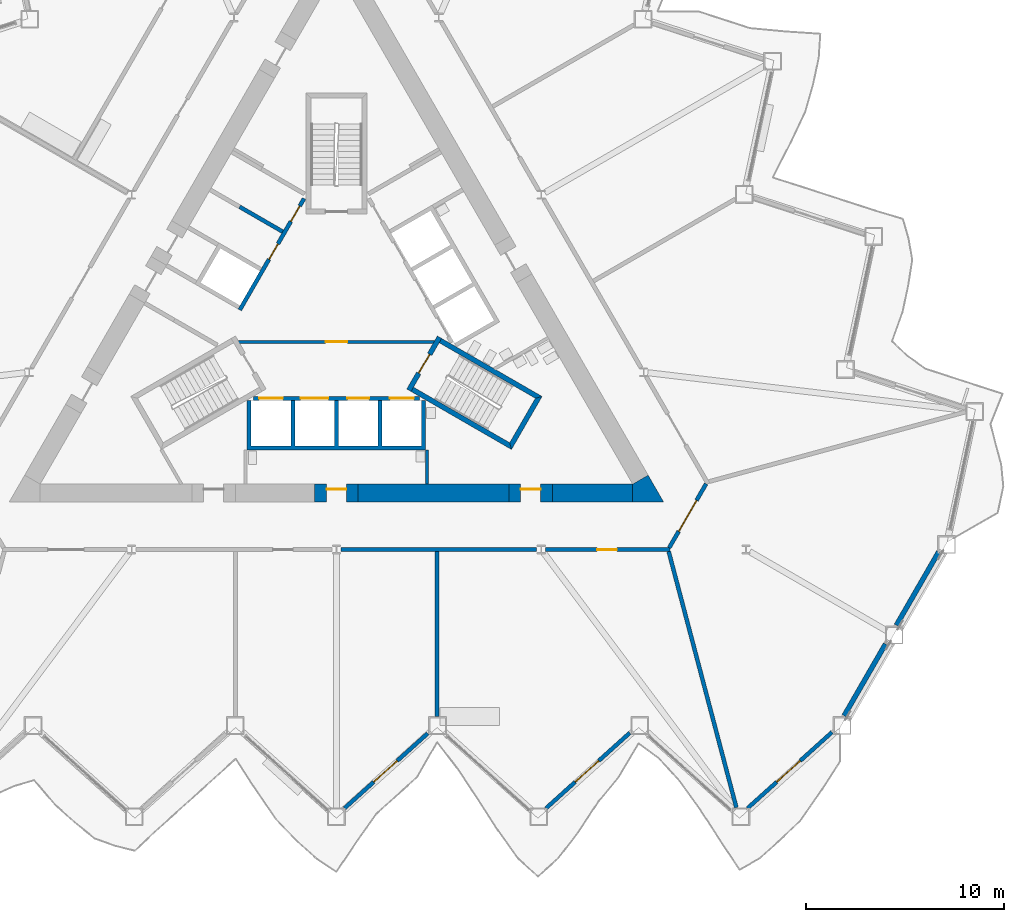
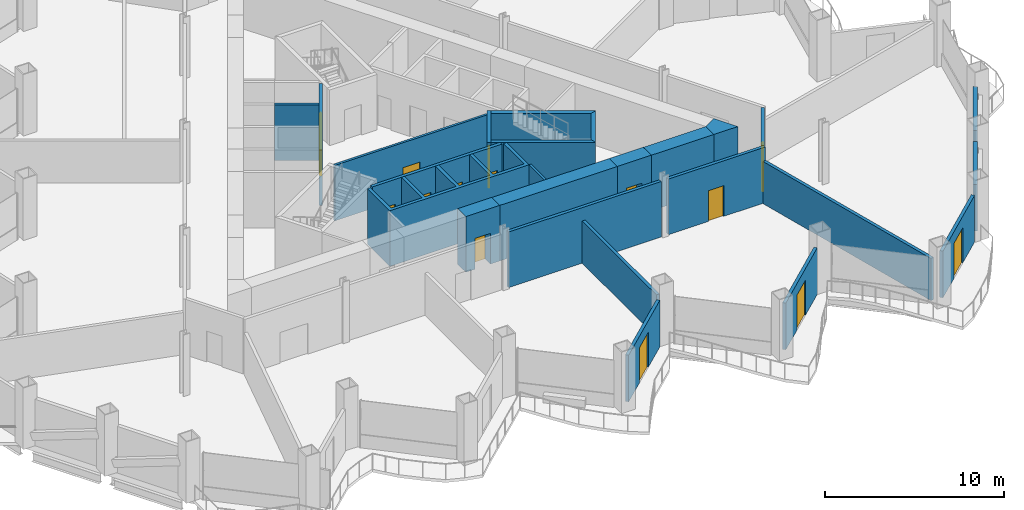
# One storey, part 11 of 21: 25 walls, 15 doors, 15 openings.
"""IFC4 building model written with IfcOpenShell, lengths in metres."""

from ifc_helpers import new_model, si_unit, direction, frame, frame_2d, origin, place, context, subcontext, project, spatial, polyline, rectangle, outline, extrude, material, layer, layer_set, type_object, element, fill, save


model = new_model("IFC4")

# Units and contexts
model_context = context("Model", 3, precision=1e-05, world=origin(), true_north=direction((0.0, 1.0)))
body_context = subcontext(model_context, "Body", "Model", "MODEL_VIEW")
ifc_project = project(units=[si_unit("LENGTHUNIT", "METRE"), si_unit("AREAUNIT", "SQUARE_METRE"), si_unit("VOLUMEUNIT", "CUBIC_METRE"), si_unit("PLANEANGLEUNIT", "RADIAN"), si_unit("MASSUNIT", "GRAM", prefix="KILO")], contexts=[model_context])

# Site, building, storey
site_placement = place(None, origin())
site = spatial("IfcSite", under=ifc_project, at=site_placement, CompositionType="ELEMENT")
building_placement = place(site_placement, origin())
building = spatial("IfcBuilding", under=site, at=building_placement, Name="Cormorant Prow Tower", CompositionType="ELEMENT")
storey_placement = place(building_placement, frame((0.0, 0.0, 145.800048828125)))
storey = spatial("IfcBuildingStorey", under=building, at=storey_placement, Name="L31", CompositionType="ELEMENT", Elevation=145.800048828125)

# Wall, opening, door
ifc_material_1 = material(Name="Gypsum board partition")
ifc_layer_1 = layer(ifc_material_1, 0.14990234375)
ifc_layer_set_1 = layer_set([ifc_layer_1], Name="Gypsum board partition")
wall_type_1 = type_object("IfcWallType", Name="Core partition 150", PredefinedType="PARTITIONING", material=ifc_layer_set_1)
wall_1_placement = place(storey_placement, frame((-4.941162109375, -1.449951171875, 0.0), z_axis=(0.0, 0.0, 1.0), x_axis=(1.0, 0.0, 0.0)))
wall_1 = element("IfcWall", 1, at=wall_1_placement, inside=storey, type_object=wall_type_1, Name="Firefighting lobby partition", PredefinedType="PARTITIONING", context=body_context, shape_type="SweptSolid", body=[
    extrude(rectangle(XDim=9.88232421875, YDim=0.14990234375, at=frame_2d((4.941162109375, 0.0))), origin(), (0.0, 0.0, 1.0), 3.800048828125),
])
opening_1_placement = place(wall_1_placement, frame((4.39111328125, 0.0, 0.0)))
opening_1 = element("IfcOpeningElement", 2, at=opening_1_placement, cuts=wall_1, Name="Opening L31-C11", PredefinedType="OPENING", context=body_context, shape_type="SweptSolid", body=[
    extrude(rectangle(XDim=1.10009765625, YDim=2.10009765625, at=frame_2d((0.550048828125, 1.050048828125))), frame((0.0, 0.0849609375, 0.0), z_axis=(0.0, -1.0, 0.0), x_axis=(1.0, 0.0, 0.0)), (0.0, 0.0, 1.0), 0.169921875),
])
ifc_material_2 = material(Name="Painted steel", Category="steel")
door_type_1 = type_object("IfcDoorType", Name="Firefighting lobby door 1100x2100", OperationType="NOTDEFINED", PredefinedType="DOOR", material=ifc_material_2)
door_1_placement = place(opening_1_placement, origin())
door_1 = element("IfcDoor", 3, at=door_1_placement, inside=storey, type_object=door_type_1, Name="Firefighting lobby door", OperationType="SINGLE_SWING_RIGHT", OverallHeight=2.10009765625, OverallWidth=1.10009765625, PredefinedType="DOOR", context=body_context, shape_type="SweptSolid", body=[
    extrude(rectangle(XDim=1.10009765625, YDim=2.10009765625, at=frame_2d((0.550048828125, 1.050048828125))), frame((0.0, 0.02490234375, 0.0), z_axis=(0.0, -1.0, 0.0), x_axis=(1.0, 0.0, 0.0)), (0.0, 0.0, 1.0), 0.050048828125),
])
fill(opening_1, door_1)

# Walls
wall_2_placement = place(storey_placement, frame((4.574951171875, -6.906005859375, 0.0), z_axis=(0.0, 0.0, 1.0), x_axis=(0.0, -1.0, 0.0)))
element("IfcWall", 4, at=wall_2_placement, inside=storey, type_object=wall_type_1, Name="Service room partition", PredefinedType="PARTITIONING", context=body_context, shape_type="SweptSolid", body=[
    extrude(rectangle(XDim=1.72021484375, YDim=0.14990234375, at=frame_2d((0.860107421875, 0.0))), origin(), (0.0, 0.0, 1.0), 3.800048828125),
])
ifc_material_3 = material(Name="Concrete 8000 psi", Category="concrete")
ifc_layer_2 = layer(ifc_material_3, 0.89990234375)
ifc_layer_set_2 = layer_set([ifc_layer_2], Name="Concrete 8000 psi")
wall_type_2 = type_object("IfcWallType", Name="Core shear wall 900", PredefinedType="SHEAR", material=ifc_layer_set_2)
wall_3_placement = place(storey_placement, frame((1.10009765625, -9.076416015625, 0.0), z_axis=(0.0, 0.0, 1.0), x_axis=(1.0, 0.0, 0.0)))
element("IfcWall", 5, at=wall_3_placement, inside=storey, type_object=wall_type_2, Name="Core wall", PredefinedType="SHEAR", context=body_context, shape_type="SweptSolid", body=[
    extrude(rectangle(XDim=7.595458984375, YDim=0.89990234375, at=frame_2d((3.7978515625, 0.0))), origin(), (0.0, 0.0, 1.0), 3.800048828125),
])
wall_4_placement = place(storey_placement, frame((10.8955078125, -9.076416015625, 0.0), z_axis=(0.0, 0.0, 1.0), x_axis=(1.0, 0.0, 0.0)))
element("IfcWall", 6, at=wall_4_placement, inside=storey, type_object=wall_type_2, Name="Core wall", PredefinedType="SHEAR", context=body_context, shape_type="SweptSolid", body=[
    extrude(rectangle(XDim=4.045654296875, YDim=0.89990234375, at=frame_2d((2.02294921875, 0.0))), origin(), (0.0, 0.0, 1.0), 3.800048828125),
])
wall_5_placement = place(storey_placement, origin())
element("IfcWall", 7, at=wall_5_placement, inside=storey, type_object=wall_type_2, Name="Core wall corner", PredefinedType="SHEAR", context=body_context, shape_type="SweptSolid", body=[
    extrude(outline(polyline([(14.941162109375, -8.626220703125), (15.720703125, -8.17626953125), (16.5, -9.5263671875), (14.941162109375, -9.5263671875), (14.941162109375, -8.626220703125)])), origin(), (0.0, 0.0, 1.0), 3.800048828125),
])

# Wall, opening, door
wall_6_placement = place(storey_placement, frame((-1.10009765625, -9.076416015625, 0.0), z_axis=(0.0, 0.0, 1.0), x_axis=(1.0, 0.0, 0.0)))
wall_6 = element("IfcWall", 8, at=wall_6_placement, inside=storey, type_object=wall_type_2, Name="Core wall door panel", PredefinedType="SHEAR", context=body_context, shape_type="SweptSolid", body=[
    extrude(rectangle(XDim=2.2001953125, YDim=0.89990234375, at=frame_2d((1.10009765625, 0.0))), origin(), (0.0, 0.0, 1.0), 3.800048828125),
])
opening_2_placement = place(wall_6_placement, frame((0.60009765625, 0.0, 0.0)))
opening_2 = element("IfcOpeningElement", 9, at=opening_2_placement, cuts=wall_6, Name="Opening L31-C15", PredefinedType="OPENING", context=body_context, shape_type="SweptSolid", body=[
    extrude(rectangle(XDim=1.0, YDim=2.10009765625, at=frame_2d((0.5, 1.050048828125))), frame((0.0, 0.4599609375, 0.0), z_axis=(0.0, -1.0, 0.0), x_axis=(1.0, 0.0, 0.0)), (0.0, 0.0, 1.0), 0.919921875),
])
ifc_material_4 = material(Name="Painted steel", Category="steel")
door_type_2 = type_object("IfcDoorType", Name="Service door 1000x2100", OperationType="NOTDEFINED", PredefinedType="DOOR", material=ifc_material_4)
door_2_placement = place(opening_2_placement, origin())
door_2 = element("IfcDoor", 10, at=door_2_placement, inside=storey, type_object=door_type_2, Name="Core door, Accessible WC L31", OperationType="SINGLE_SWING_LEFT", OverallHeight=2.10009765625, OverallWidth=1.0, PredefinedType="DOOR", context=body_context, shape_type="SweptSolid", body=[
    extrude(rectangle(XDim=1.0, YDim=2.10009765625, at=frame_2d((0.5, 1.050048828125))), frame((0.0, 0.205078125, 0.0), z_axis=(0.0, -1.0, 0.0), x_axis=(1.0, 0.0, 0.0)), (0.0, 0.0, 1.0), 0.050048828125),
])
fill(opening_2, door_2)

wall_7_placement = place(storey_placement, frame((8.695556640625, -9.076416015625, 0.0), z_axis=(0.0, 0.0, 1.0), x_axis=(1.0, 0.0, 0.0)))
wall_7 = element("IfcWall", 11, at=wall_7_placement, inside=storey, type_object=wall_type_2, Name="Core wall door panel", PredefinedType="SHEAR", context=body_context, shape_type="SweptSolid", body=[
    extrude(rectangle(XDim=2.199951171875, YDim=0.89990234375, at=frame_2d((1.10009765625, 0.0))), origin(), (0.0, 0.0, 1.0), 3.800048828125),
])
opening_3_placement = place(wall_7_placement, frame((0.60009765625, 0.0, 0.0)))
opening_3 = element("IfcOpeningElement", 12, at=opening_3_placement, cuts=wall_7, Name="Opening L31-C16", PredefinedType="OPENING", context=body_context, shape_type="SweptSolid", body=[
    extrude(rectangle(XDim=1.0, YDim=2.10009765625, at=frame_2d((0.5, 1.050048828125))), frame((0.0, 0.4599609375, 0.0), z_axis=(0.0, -1.0, 0.0), x_axis=(1.0, 0.0, 0.0)), (0.0, 0.0, 1.0), 0.919921875),
])
door_3_placement = place(opening_3_placement, origin())
door_3 = element("IfcDoor", 13, at=door_3_placement, inside=storey, type_object=door_type_2, Name="Core door, Toilets (women) L31", OperationType="SINGLE_SWING_LEFT", OverallHeight=2.10009765625, OverallWidth=1.0, PredefinedType="DOOR", context=body_context, shape_type="SweptSolid", body=[
    extrude(rectangle(XDim=1.0, YDim=2.10009765625, at=frame_2d((0.5, 1.050048828125))), frame((0.0, 0.205078125, 0.0), z_axis=(0.0, -1.0, 0.0), x_axis=(1.0, 0.0, 0.0)), (0.0, 0.0, 1.0), 0.050048828125),
])
fill(opening_3, door_3)

# Wall
ifc_material_5 = material(Name="Gypsum board corridor wall")
ifc_layer_3 = layer(ifc_material_5, 0.199951171875)
ifc_layer_set_3 = layer_set([ifc_layer_3], Name="Gypsum board corridor wall")
wall_type_3 = type_object("IfcWallType", Name="Corridor wall 200", PredefinedType="PARTITIONING", material=ifc_layer_set_3)
wall_8_placement = place(storey_placement, frame((0.227294921875, -11.92626953125, 0.0), z_axis=(0.0, 0.0, 1.0), x_axis=(1.0, 0.0, 0.0)))
element("IfcWall", 14, at=wall_8_placement, inside=storey, type_object=wall_type_3, Name="Corridor wall", PredefinedType="PARTITIONING", context=body_context, shape_type="SweptSolid", body=[
    extrude(rectangle(XDim=9.873779296875, YDim=0.199951171875, at=frame_2d((4.93701171875, 0.0))), origin(), (0.0, 0.0, 1.0), 3.800048828125),
])

# Wall, opening, door
wall_9_placement = place(storey_placement, frame((10.555908203125, -11.92626953125, 0.0), z_axis=(0.0, 0.0, 1.0), x_axis=(1.0, 0.0, 0.0)))
wall_9 = element("IfcWall", 15, at=wall_9_placement, inside=storey, type_object=wall_type_3, Name="Corridor wall", PredefinedType="PARTITIONING", context=body_context, shape_type="SweptSolid", body=[
    extrude(rectangle(XDim=6.27490234375, YDim=0.199951171875, at=frame_2d((3.137451171875, 0.0))), origin(), (0.0, 0.0, 1.0), 3.800048828125),
])
opening_4_placement = place(wall_9_placement, frame((2.586669921875, 0.0, 0.0)))
opening_4 = element("IfcOpeningElement", 16, at=opening_4_placement, cuts=wall_9, Name="Opening L31-F03", PredefinedType="OPENING", context=body_context, shape_type="SweptSolid", body=[
    extrude(rectangle(XDim=1.0, YDim=2.10009765625, at=frame_2d((0.5, 1.050048828125))), frame((0.0, 0.10986328125, 0.0), z_axis=(0.0, -1.0, 0.0), x_axis=(1.0, 0.0, 0.0)), (0.0, 0.0, 1.0), 0.219970703125),
])
ifc_material_6 = material(Name="Timber door leaf", Category="wood")
door_type_3 = type_object("IfcDoorType", Name="Office door 1000x2100", OperationType="NOTDEFINED", PredefinedType="DOOR", material=ifc_material_6)
door_4_placement = place(opening_4_placement, origin())
door_4 = element("IfcDoor", 17, at=door_4_placement, inside=storey, type_object=door_type_3, Name="Tenant reception door", OperationType="SINGLE_SWING_LEFT", OverallHeight=2.10009765625, OverallWidth=1.0, PredefinedType="DOOR", context=body_context, shape_type="SweptSolid", body=[
    extrude(rectangle(XDim=1.0, YDim=2.10009765625, at=frame_2d((0.5, 1.050048828125))), frame((0.0, 0.02490234375, 0.0), z_axis=(0.0, -1.0, 0.0), x_axis=(1.0, 0.0, 0.0)), (0.0, 0.0, 1.0), 0.050048828125),
])
fill(opening_4, door_4)

wall_10_placement = place(storey_placement, frame((16.781005859375, -11.839599609375, 0.0), z_axis=(0.0, 0.0, 1.0), x_axis=(0.499958791762, 0.866049194065, 0.0)))
wall_10 = element("IfcWall", 18, at=wall_10_placement, inside=storey, type_object=wall_type_3, Name="Corridor wall", PredefinedType="PARTITIONING", context=body_context, shape_type="SweptSolid", body=[
    extrude(rectangle(XDim=3.725830078125, YDim=0.199951171875, at=frame_2d((1.86279296875, 0.0))), origin(), (0.0, 0.0, 1.0), 3.800048828125),
])
opening_5_placement = place(wall_10_placement, frame((0.962890625, 0.0, 0.0)))
opening_5 = element("IfcOpeningElement", 19, at=opening_5_placement, cuts=wall_10, Name="Opening L31-F04", PredefinedType="OPENING", context=body_context, shape_type="SweptSolid", body=[
    extrude(rectangle(XDim=1.800048828125, YDim=2.10009765625, at=frame_2d((0.89990234375, 1.050048828125))), frame((0.0, 0.10986328125, 0.0), z_axis=(0.0, -1.0, 0.0), x_axis=(1.0, 0.0, 0.0)), (0.0, 0.0, 1.0), 0.219970703125),
])
ifc_material_7 = material(Name="Timber door leaf", Category="wood")
door_type_4 = type_object("IfcDoorType", Name="Double door 1800x2100", OperationType="DOUBLE_DOOR_SINGLE_SWING", PredefinedType="DOOR", material=ifc_material_7)
door_5_placement = place(opening_5_placement, origin())
door_5 = element("IfcDoor", 20, at=door_5_placement, inside=storey, type_object=door_type_4, Name="Open-plan office door", OperationType="DOUBLE_DOOR_SINGLE_SWING", OverallHeight=2.10009765625, OverallWidth=1.800048828125, PredefinedType="DOOR", context=body_context, shape_type="SweptSolid", body=[
    extrude(rectangle(XDim=1.800048828125, YDim=2.10009765625, at=frame_2d((0.89990234375, 1.050048828125))), frame((0.0, 0.02490234375, 0.0), z_axis=(0.0, -1.0, 0.0), x_axis=(1.0, 0.0, 0.0)), (0.0, 0.0, 1.0), 0.050048828125),
])
fill(opening_5, door_5)

# Walls
ifc_material_8 = material(Name="Gypsum board demising wall")
ifc_layer_4 = layer(ifc_material_8, 0.199951171875)
ifc_layer_set_4 = layer_set([ifc_layer_4], Name="Gypsum board demising wall")
wall_type_4 = type_object("IfcWallType", Name="Demising wall 200", PredefinedType="PARTITIONING", material=ifc_layer_set_4)
wall_11_placement = place(storey_placement, frame((16.75634765625, -12.02294921875, 0.0), z_axis=(0.0, 0.0, 1.0), x_axis=(0.25554647156, -0.966796773305, 0.0)))
element("IfcWall", 21, at=wall_11_placement, inside=storey, type_object=wall_type_4, Name="Demising wall", PredefinedType="PARTITIONING", context=body_context, shape_type="SweptSolid", body=[
    extrude(rectangle(XDim=13.35986328125, YDim=0.199951171875, at=frame_2d((6.679931640625, 0.0))), origin(), (0.0, 0.0, 1.0), 2.88525390625),
])
wall_12_placement = place(storey_placement, frame((5.081298828125, -20.34716796875, 0.0), z_axis=(0.0, 0.0, 1.0), x_axis=(0.0, 1.0, 0.0)))
element("IfcWall", 22, at=wall_12_placement, inside=storey, type_object=wall_type_4, Name="Demising wall", PredefinedType="PARTITIONING", context=body_context, shape_type="SweptSolid", body=[
    extrude(rectangle(XDim=8.32080078125, YDim=0.199951171875, at=frame_2d((4.160400390625, 0.0))), origin(), (0.0, 0.0, 1.0), 2.88525390625),
])

# Wall, openings, doors
ifc_material_9 = material(Name="Concrete 5000 psi", Category="concrete")
ifc_layer_5 = layer(ifc_material_9, 0.199951171875)
ifc_layer_set_5 = layer_set([ifc_layer_5], Name="Concrete 5000 psi")
wall_type_5 = type_object("IfcWallType", Name="Lift lobby wall 200", PredefinedType="SOLIDWALL", material=ifc_layer_set_5)
wall_13_placement = place(storey_placement, frame((-4.1865234375, -4.300048828125, 0.0), z_axis=(0.0, 0.0, 1.0), x_axis=(1.0, 0.0, 0.0)))
wall_13 = element("IfcWall", 23, at=wall_13_placement, inside=storey, type_object=wall_type_5, Name="Lift lobby wall, S block", PredefinedType="SOLIDWALL", context=body_context, shape_type="SweptSolid", body=[
    extrude(rectangle(XDim=8.373046875, YDim=0.199951171875, at=frame_2d((4.1865234375, 0.0))), origin(), (0.0, 0.0, 1.0), 3.800048828125),
])
opening_6_placement = place(wall_13_placement, frame((0.28662109375, 0.0, 0.0)))
opening_6 = element("IfcOpeningElement", 24, at=opening_6_placement, cuts=wall_13, Name="Opening L31-C01", PredefinedType="OPENING", context=body_context, shape_type="SweptSolid", body=[
    extrude(rectangle(XDim=1.199951171875, YDim=2.10009765625, at=frame_2d((0.60009765625, 1.050048828125))), frame((0.0, 0.10986328125, 0.0), z_axis=(0.0, -1.0, 0.0), x_axis=(1.0, 0.0, 0.0)), (0.0, 0.0, 1.0), 0.219970703125),
])
opening_7_placement = place(wall_13_placement, frame((2.38671875, 0.0, 0.0)))
opening_7 = element("IfcOpeningElement", 25, at=opening_7_placement, cuts=wall_13, Name="Opening L31-C02", PredefinedType="OPENING", context=body_context, shape_type="SweptSolid", body=[
    extrude(rectangle(XDim=1.39990234375, YDim=2.10009765625, at=frame_2d((0.699951171875, 1.050048828125))), frame((0.0, 0.10986328125, 0.0), z_axis=(0.0, -1.0, 0.0), x_axis=(1.0, 0.0, 0.0)), (0.0, 0.0, 1.0), 0.219970703125),
])
opening_8_placement = place(wall_13_placement, frame((4.736572265625, 0.0, 0.0)))
opening_8 = element("IfcOpeningElement", 26, at=opening_8_placement, cuts=wall_13, Name="Opening L31-C03", PredefinedType="OPENING", context=body_context, shape_type="SweptSolid", body=[
    extrude(rectangle(XDim=1.10009765625, YDim=2.10009765625, at=frame_2d((0.550048828125, 1.050048828125))), frame((0.0, 0.10986328125, 0.0), z_axis=(0.0, -1.0, 0.0), x_axis=(1.0, 0.0, 0.0)), (0.0, 0.0, 1.0), 0.219970703125),
])
opening_9_placement = place(wall_13_placement, frame((6.88671875, 0.0, 0.0)))
opening_9 = element("IfcOpeningElement", 27, at=opening_9_placement, cuts=wall_13, Name="Opening L31-C04", PredefinedType="OPENING", context=body_context, shape_type="SweptSolid", body=[
    extrude(rectangle(XDim=1.199951171875, YDim=2.10009765625, at=frame_2d((0.60009765625, 1.050048828125))), frame((0.0, 0.10986328125, 0.0), z_axis=(0.0, -1.0, 0.0), x_axis=(1.0, 0.0, 0.0)), (0.0, 0.0, 1.0), 0.219970703125),
])
ifc_material_10 = material(Name="Painted steel", Category="steel")
door_type_5 = type_object("IfcDoorType", Name="Firefighting lift landing door 1200x2100", OperationType="SLIDING_TO_LEFT", PredefinedType="DOOR", material=ifc_material_10)
door_6_placement = place(opening_6_placement, origin())
door_6 = element("IfcDoor", 28, at=door_6_placement, inside=storey, type_object=door_type_5, Name="Landing door FL1", OperationType="SLIDING_TO_LEFT", OverallHeight=2.10009765625, OverallWidth=1.199951171875, PredefinedType="DOOR", context=body_context, shape_type="SweptSolid", body=[
    extrude(rectangle(XDim=1.199951171875, YDim=2.10009765625, at=frame_2d((0.60009765625, 1.050048828125))), frame((0.0, 0.02490234375, 0.0), z_axis=(0.0, -1.0, 0.0), x_axis=(1.0, 0.0, 0.0)), (0.0, 0.0, 1.0), 0.050048828125),
])
fill(opening_6, door_6)
door_7_placement = place(opening_9_placement, origin())
door_7 = element("IfcDoor", 29, at=door_7_placement, inside=storey, type_object=door_type_5, Name="Landing door FL2", OperationType="SLIDING_TO_LEFT", OverallHeight=2.10009765625, OverallWidth=1.199951171875, PredefinedType="DOOR", context=body_context, shape_type="SweptSolid", body=[
    extrude(rectangle(XDim=1.199951171875, YDim=2.10009765625, at=frame_2d((0.60009765625, 1.050048828125))), frame((0.0, 0.02490234375, 0.0), z_axis=(0.0, -1.0, 0.0), x_axis=(1.0, 0.0, 0.0)), (0.0, 0.0, 1.0), 0.050048828125),
])
fill(opening_9, door_7)
ifc_material_11 = material(Name="Painted steel", Category="steel")
door_type_6 = type_object("IfcDoorType", Name="Lift landing door 1100x2100", OperationType="SLIDING_TO_LEFT", PredefinedType="DOOR", material=ifc_material_11)
door_8_placement = place(opening_8_placement, origin())
door_8 = element("IfcDoor", 30, at=door_8_placement, inside=storey, type_object=door_type_6, Name="Landing door LR1", OperationType="SLIDING_TO_LEFT", OverallHeight=2.10009765625, OverallWidth=1.10009765625, PredefinedType="DOOR", context=body_context, shape_type="SweptSolid", body=[
    extrude(rectangle(XDim=1.10009765625, YDim=2.10009765625, at=frame_2d((0.550048828125, 1.050048828125))), frame((0.0, 0.02490234375, 0.0), z_axis=(0.0, -1.0, 0.0), x_axis=(1.0, 0.0, 0.0)), (0.0, 0.0, 1.0), 0.050048828125),
])
fill(opening_8, door_8)
ifc_material_12 = material(Name="Painted steel", Category="steel")
door_type_7 = type_object("IfcDoorType", Name="Service lift landing door 1400x2100", OperationType="SLIDING_TO_LEFT", PredefinedType="DOOR", material=ifc_material_12)
door_9_placement = place(opening_7_placement, origin())
door_9 = element("IfcDoor", 31, at=door_9_placement, inside=storey, type_object=door_type_7, Name="Landing door SL1", OperationType="SLIDING_TO_LEFT", OverallHeight=2.10009765625, OverallWidth=1.39990234375, PredefinedType="DOOR", context=body_context, shape_type="SweptSolid", body=[
    extrude(rectangle(XDim=1.39990234375, YDim=2.10009765625, at=frame_2d((0.699951171875, 1.050048828125))), frame((0.0, 0.02490234375, 0.0), z_axis=(0.0, -1.0, 0.0), x_axis=(1.0, 0.0, 0.0)), (0.0, 0.0, 1.0), 0.050048828125),
])
fill(opening_7, door_9)

wall_14_placement = place(storey_placement, frame((-1.630615234375, 5.775634765625, 0.0), z_axis=(0.0, 0.0, 1.0), x_axis=(-0.499992876559, -0.866029516466, 0.0)))
wall_14 = element("IfcWall", 32, at=wall_14_placement, inside=storey, type_object=wall_type_5, Name="Lift lobby wall, WNW block", PredefinedType="SOLIDWALL", context=body_context, shape_type="SweptSolid", body=[
    extrude(rectangle(XDim=6.486328125, YDim=0.199951171875, at=frame_2d((3.2431640625, 0.0))), origin(), (0.0, 0.0, 1.0), 3.800048828125),
])
opening_10_placement = place(wall_14_placement, frame((0.4365234375, 0.0, 0.0)))
opening_10 = element("IfcOpeningElement", 33, at=opening_10_placement, cuts=wall_14, Name="Opening L31-C09", PredefinedType="OPENING", context=body_context, shape_type="SweptSolid", body=[
    extrude(rectangle(XDim=0.89990234375, YDim=2.10009765625, at=frame_2d((0.449951171875, 1.050048828125))), frame((0.0, 0.10986328125, 0.0), z_axis=(0.0, -1.0, 0.0), x_axis=(1.0, 0.0, 0.0)), (0.0, 0.0, 1.0), 0.219970703125),
])
opening_11_placement = place(wall_14_placement, frame((2.63671875, 0.0, 0.0)))
opening_11 = element("IfcOpeningElement", 34, at=opening_11_placement, cuts=wall_14, Name="Opening L31-C10", PredefinedType="OPENING", context=body_context, shape_type="SweptSolid", body=[
    extrude(rectangle(XDim=0.89990234375, YDim=2.10009765625, at=frame_2d((0.449951171875, 1.050048828125))), frame((0.0, 0.10986328125, 0.0), z_axis=(0.0, -1.0, 0.0), x_axis=(1.0, 0.0, 0.0)), (0.0, 0.0, 1.0), 0.219970703125),
])
ifc_material_13 = material(Name="Painted steel", Category="steel")
door_type_8 = type_object("IfcDoorType", Name="Service door 900x2100", OperationType="NOTDEFINED", PredefinedType="DOOR", material=ifc_material_13)
door_10_placement = place(opening_10_placement, origin())
door_10 = element("IfcDoor", 35, at=door_10_placement, inside=storey, type_object=door_type_8, Name="Service door, Refuse store", OperationType="SINGLE_SWING_LEFT", OverallHeight=2.10009765625, OverallWidth=0.89990234375, PredefinedType="DOOR", context=body_context, shape_type="SweptSolid", body=[
    extrude(rectangle(XDim=0.89990234375, YDim=2.10009765625, at=frame_2d((0.449951171875, 1.050048828125))), frame((0.0, 0.02490234375, 0.0), z_axis=(0.0, -1.0, 0.0), x_axis=(1.0, 0.0, 0.0)), (0.0, 0.0, 1.0), 0.050048828125),
])
fill(opening_10, door_10)
door_11_placement = place(opening_11_placement, origin())
door_11 = element("IfcDoor", 36, at=door_11_placement, inside=storey, type_object=door_type_8, Name="Service door, Pantry store", OperationType="SINGLE_SWING_RIGHT", OverallHeight=2.10009765625, OverallWidth=0.89990234375, PredefinedType="DOOR", context=body_context, shape_type="SweptSolid", body=[
    extrude(rectangle(XDim=0.89990234375, YDim=2.10009765625, at=frame_2d((0.449951171875, 1.050048828125))), frame((0.0, 0.02490234375, 0.0), z_axis=(0.0, -1.0, 0.0), x_axis=(1.0, 0.0, 0.0)), (0.0, 0.0, 1.0), 0.050048828125),
])
fill(opening_11, door_11)

# Walls
ifc_material_14 = material(Name="Concrete 8000 psi", Category="concrete")
ifc_layer_6 = layer(ifc_material_14, 0.199951171875)
ifc_layer_set_6 = layer_set([ifc_layer_6], Name="Concrete 8000 psi")
wall_type_6 = type_object("IfcWallType", Name="Lift shaft wall 200", PredefinedType="SHEAR", material=ifc_layer_set_6)
wall_15_placement = place(storey_placement, origin())
element("IfcWall", 37, at=wall_15_placement, inside=storey, type_object=wall_type_6, Name="Lift shaft walls, S block", PredefinedType="SHEAR", context=body_context, shape_type="SweptSolid", body=[
    extrude(outline(polyline([(4.5, -4.39990234375), (4.5, -6.906005859375), (-4.5, -6.906005859375), (-4.5, -4.39990234375), (-4.300048828125, -4.39990234375), (-4.300048828125, -6.699951171875), (-2.300048828125, -6.699951171875), (-2.300048828125, -4.39990234375), (-2.10009765625, -4.39990234375), (-2.10009765625, -6.699951171875), (-0.10009765625, -6.699951171875), (-0.10009765625, -4.39990234375), (0.10009765625, -4.39990234375), (0.10009765625, -6.699951171875), (2.10009765625, -6.699951171875), (2.10009765625, -4.39990234375), (2.300048828125, -4.39990234375), (2.300048828125, -6.699951171875), (4.300048828125, -6.699951171875), (4.300048828125, -4.39990234375), (4.5, -4.39990234375)])), origin(), (0.0, 0.0, 1.0), 3.800048828125),
])
wall_16_placement = place(storey_placement, origin())
element("IfcWall", 38, at=wall_16_placement, inside=storey, type_object=wall_type_6, Name="Lift shaft walls, WNW block", PredefinedType="SHEAR", context=body_context, shape_type="SweptSolid", body=[
    extrude(outline(polyline([(-2.760498046875, 4.018798828125), (-4.930908203125, 5.271728515625), (-4.830810546875, 5.44482421875), (-2.660400390625, 4.19189453125), (-2.760498046875, 4.018798828125)])), origin(), (0.0, 0.0, 1.0), 3.800048828125),
])
ifc_material_15 = material(Name="Concrete 8000 psi", Category="concrete")
ifc_layer_7 = layer(ifc_material_15, 0.25)
ifc_layer_set_7 = layer_set([ifc_layer_7], Name="Concrete 8000 psi")
wall_type_7 = type_object("IfcWallType", Name="Stair wall 250", PredefinedType="SHEAR", material=ifc_layer_set_7)
wall_17_placement = place(storey_placement, origin())
element("IfcWall", 39, at=wall_17_placement, inside=storey, type_object=wall_type_7, Name="Stair ST2 enclosure wall (flank)", PredefinedType="SHEAR", context=body_context, shape_type="SweptSolid", body=[
    extrude(outline(polyline([(3.76318359375, -3.95556640625), (8.82958984375, -6.880615234375), (8.738037109375, -6.5390625), (3.88818359375, -3.739013671875), (3.76318359375, -3.95556640625)])), origin(), (0.0, 0.0, 1.0), 3.800048828125),
])
wall_18_placement = place(storey_placement, origin())
element("IfcWall", 40, at=wall_18_placement, inside=storey, type_object=wall_type_7, Name="Stair ST2 enclosure wall (end)", PredefinedType="SHEAR", context=body_context, shape_type="SweptSolid", body=[
    extrude(outline(polyline([(8.82958984375, -6.880615234375), (10.37353515625, -4.206298828125), (10.031982421875, -4.2978515625), (8.738037109375, -6.5390625), (8.82958984375, -6.880615234375)])), origin(), (0.0, 0.0, 1.0), 3.800048828125),
])
wall_19_placement = place(storey_placement, origin())
element("IfcWall", 41, at=wall_19_placement, inside=storey, type_object=wall_type_7, Name="Stair ST2 enclosure wall (flank)", PredefinedType="SHEAR", context=body_context, shape_type="SweptSolid", body=[
    extrude(outline(polyline([(10.031982421875, -4.2978515625), (10.37353515625, -4.206298828125), (5.30712890625, -1.28125), (5.18212890625, -1.497802734375), (10.031982421875, -4.2978515625)])), origin(), (0.0, 0.0, 1.0), 3.800048828125),
])

# Wall, opening, door
wall_20_placement = place(storey_placement, frame((3.655029296875, -3.89306640625, 0.0), z_axis=(0.0, 0.0, 1.0), x_axis=(0.499982516597, 0.866035497597, 0.0)))
wall_20 = element("IfcWall", 42, at=wall_20_placement, inside=storey, type_object=wall_type_7, Name="Stair ST2 door wall", PredefinedType="SHEAR", context=body_context, shape_type="SweptSolid", body=[
    extrude(rectangle(XDim=3.087890625, YDim=0.25, at=frame_2d((1.5439453125, 0.0))), origin(), (0.0, 0.0, 1.0), 3.800048828125),
])
opening_12_placement = place(wall_20_placement, frame((0.993896484375, 0.0, 0.0)))
opening_12 = element("IfcOpeningElement", 43, at=opening_12_placement, cuts=wall_20, Name="Opening L31-C13", PredefinedType="OPENING", context=body_context, shape_type="SweptSolid", body=[
    extrude(rectangle(XDim=1.10009765625, YDim=2.10009765625, at=frame_2d((0.550048828125, 1.050048828125))), frame((0.0, 0.135009765625, 0.0), z_axis=(0.0, -1.0, 0.0), x_axis=(1.0, 0.0, 0.0)), (0.0, 0.0, 1.0), 0.27001953125),
])
ifc_material_16 = material(Name="Painted steel", Category="steel")
door_type_9 = type_object("IfcDoorType", Name="Stair door 1100x2100", OperationType="NOTDEFINED", PredefinedType="DOOR", material=ifc_material_16)
door_12_placement = place(opening_12_placement, origin())
door_12 = element("IfcDoor", 44, at=door_12_placement, inside=storey, type_object=door_type_9, Name="Stair ST2 door", OperationType="SINGLE_SWING_RIGHT", OverallHeight=2.10009765625, OverallWidth=1.10009765625, PredefinedType="DOOR", context=body_context, shape_type="SweptSolid", body=[
    extrude(rectangle(XDim=1.10009765625, YDim=2.10009765625, at=frame_2d((0.550048828125, 1.050048828125))), frame((0.0, 0.02490234375, 0.0), z_axis=(0.0, -1.0, 0.0), x_axis=(1.0, 0.0, 0.0)), (0.0, 0.0, 1.0), 0.050048828125),
])
fill(opening_12, door_12)

# Walls
ifc_material_17 = material(Name="Terracotta", Category="masonry")
ifc_layer_8 = layer(ifc_material_17, 0.25)
ifc_layer_set_8 = layer_set([ifc_layer_8], Name="Terracotta")
wall_type_8 = type_object("IfcWallType", Name="Terracotta bay wall 250", PredefinedType="SOLIDWALL", material=ifc_layer_set_8)
wall_21_placement = place(storey_placement, frame((25.60595703125, -20.30712890625, 0.0), z_axis=(0.0, 0.0, 1.0), x_axis=(0.500002690545, 0.866023850392, 0.0)))
element("IfcWall", 45, at=wall_21_placement, inside=storey, type_object=wall_type_8, Name="Terracotta bay wall ESE00", PredefinedType="SOLIDWALL", context=body_context, shape_type="SweptSolid", body=[
    extrude(rectangle(XDim=4.1728515625, YDim=0.25, at=frame_2d((2.08642578125, 0.0))), origin(), (0.0, 0.0, 1.0), 3.18896484375),
])
wall_22_placement = place(storey_placement, frame((28.240966796875, -15.743408203125, 0.0), z_axis=(0.0, 0.0, 1.0), x_axis=(0.499995966399, 0.866027732573, 0.0)))
element("IfcWall", 46, at=wall_22_placement, inside=storey, type_object=wall_type_8, Name="Terracotta bay wall ESE01", PredefinedType="SOLIDWALL", context=body_context, shape_type="SweptSolid", body=[
    extrude(rectangle(XDim=4.275390625, YDim=0.25, at=frame_2d((2.1376953125, 0.0))), origin(), (0.0, 0.0, 1.0), 3.18896484375),
])

# Wall, opening, door
ifc_material_18 = material(Name="Terracotta", Category="masonry")
ifc_layer_9 = layer(ifc_material_18, 0.199951171875)
ifc_layer_set_9 = layer_set([ifc_layer_9], Name="Terracotta")
wall_type_9 = type_object("IfcWallType", Name="Terracotta jamb wall 200", PredefinedType="SOLIDWALL", material=ifc_layer_set_9)
wall_23_placement = place(storey_placement, frame((0.40576171875, -24.97705078125, 0.0), z_axis=(0.0, 0.0, 1.0), x_axis=(0.743158726114, 0.669115167815, 0.0)))
wall_23 = element("IfcWall", 47, at=wall_23_placement, inside=storey, type_object=wall_type_9, Name="Terracotta jamb wall S05", PredefinedType="SOLIDWALL", context=body_context, shape_type="SweptSolid", body=[
    extrude(rectangle(XDim=5.648193359375, YDim=0.199951171875, at=frame_2d((2.82421875, 0.0))), origin(), (0.0, 0.0, 1.0), 3.18896484375),
])
opening_13_placement = place(wall_23_placement, frame((1.98291015625, 0.0, 0.0)))
opening_13 = element("IfcOpeningElement", 48, at=opening_13_placement, cuts=wall_23, Name="Opening ED31.03", PredefinedType="OPENING", context=body_context, shape_type="SweptSolid", body=[
    extrude(rectangle(XDim=1.60009765625, YDim=2.39990234375, at=frame_2d((0.800048828125, 1.199951171875))), frame((0.0, 0.10986328125, 0.0), z_axis=(0.0, -1.0, 0.0), x_axis=(1.0, 0.0, 0.0)), (0.0, 0.0, 1.0), 0.219970703125),
])
ifc_material_19 = material(Name="Aluminium 6063-T6", Category="aluminium")
door_type_10 = type_object("IfcDoorType", Name="Balcony door 1600x2400", OperationType="DOUBLE_DOOR_SINGLE_SWING", PredefinedType="DOOR", material=ifc_material_19)
door_13_placement = place(opening_13_placement, origin())
door_13 = element("IfcDoor", 49, at=door_13_placement, inside=storey, type_object=door_type_10, Name="Balcony door S05 ED31.03", OperationType="DOUBLE_DOOR_SINGLE_SWING", OverallHeight=2.39990234375, OverallWidth=1.60009765625, PredefinedType="DOOR", context=body_context, shape_type="SweptSolid", body=[
    extrude(rectangle(XDim=1.60009765625, YDim=2.39990234375, at=frame_2d((0.800048828125, 1.199951171875))), frame((0.0, 0.02490234375, 0.0), z_axis=(0.0, -1.0, 0.0), x_axis=(1.0, 0.0, 0.0)), (0.0, 0.0, 1.0), 0.050048828125),
])
fill(opening_13, door_13)

wall_24_placement = place(storey_placement, frame((10.568603515625, -24.97705078125, 0.0), z_axis=(0.0, 0.0, 1.0), x_axis=(0.743151159824, 0.669123571287, 0.0)))
wall_24 = element("IfcWall", 50, at=wall_24_placement, inside=storey, type_object=wall_type_9, Name="Terracotta jamb wall S07", PredefinedType="SOLIDWALL", context=body_context, shape_type="SweptSolid", body=[
    extrude(rectangle(XDim=5.68896484375, YDim=0.199951171875, at=frame_2d((2.844482421875, 0.0))), origin(), (0.0, 0.0, 1.0), 3.18896484375),
])
opening_14_placement = place(wall_24_placement, frame((1.98291015625, 0.0, 0.0)))
opening_14 = element("IfcOpeningElement", 51, at=opening_14_placement, cuts=wall_24, Name="Opening ED31.04", PredefinedType="OPENING", context=body_context, shape_type="SweptSolid", body=[
    extrude(rectangle(XDim=1.60009765625, YDim=2.39990234375, at=frame_2d((0.800048828125, 1.199951171875))), frame((0.0, 0.10986328125, 0.0), z_axis=(0.0, -1.0, 0.0), x_axis=(1.0, 0.0, 0.0)), (0.0, 0.0, 1.0), 0.219970703125),
])
door_14_placement = place(opening_14_placement, origin())
door_14 = element("IfcDoor", 52, at=door_14_placement, inside=storey, type_object=door_type_10, Name="Balcony door S07 ED31.04", OperationType="DOUBLE_DOOR_SINGLE_SWING", OverallHeight=2.39990234375, OverallWidth=1.60009765625, PredefinedType="DOOR", context=body_context, shape_type="SweptSolid", body=[
    extrude(rectangle(XDim=1.60009765625, YDim=2.39990234375, at=frame_2d((0.800048828125, 1.199951171875))), frame((0.0, 0.02490234375, 0.0), z_axis=(0.0, -1.0, 0.0), x_axis=(1.0, 0.0, 0.0)), (0.0, 0.0, 1.0), 0.050048828125),
])
fill(opening_14, door_14)

wall_25_placement = place(storey_placement, frame((20.7314453125, -24.97705078125, 0.0), z_axis=(0.0, 0.0, 1.0), x_axis=(0.743150280241, 0.669124548181, 0.0)))
wall_25 = element("IfcWall", 53, at=wall_25_placement, inside=storey, type_object=wall_type_9, Name="Terracotta jamb wall S09", PredefinedType="SOLIDWALL", context=body_context, shape_type="SweptSolid", body=[
    extrude(rectangle(XDim=5.738525390625, YDim=0.199951171875, at=frame_2d((2.869140625, 0.0))), origin(), (0.0, 0.0, 1.0), 3.18896484375),
])
opening_15_placement = place(wall_25_placement, frame((1.98291015625, 0.0, 0.0)))
opening_15 = element("IfcOpeningElement", 54, at=opening_15_placement, cuts=wall_25, Name="Opening ED31.05", PredefinedType="OPENING", context=body_context, shape_type="SweptSolid", body=[
    extrude(rectangle(XDim=1.60009765625, YDim=2.39990234375, at=frame_2d((0.800048828125, 1.199951171875))), frame((0.0, 0.10986328125, 0.0), z_axis=(0.0, -1.0, 0.0), x_axis=(1.0, 0.0, 0.0)), (0.0, 0.0, 1.0), 0.219970703125),
])
door_15_placement = place(opening_15_placement, origin())
door_15 = element("IfcDoor", 55, at=door_15_placement, inside=storey, type_object=door_type_10, Name="Balcony door S09 ED31.05", OperationType="DOUBLE_DOOR_SINGLE_SWING", OverallHeight=2.39990234375, OverallWidth=1.60009765625, PredefinedType="DOOR", context=body_context, shape_type="SweptSolid", body=[
    extrude(rectangle(XDim=1.60009765625, YDim=2.39990234375, at=frame_2d((0.800048828125, 1.199951171875))), frame((0.0, 0.02490234375, 0.0), z_axis=(0.0, -1.0, 0.0), x_axis=(1.0, 0.0, 0.0)), (0.0, 0.0, 1.0), 0.050048828125),
])
fill(opening_15, door_15)

save(model, "model.ifc")
